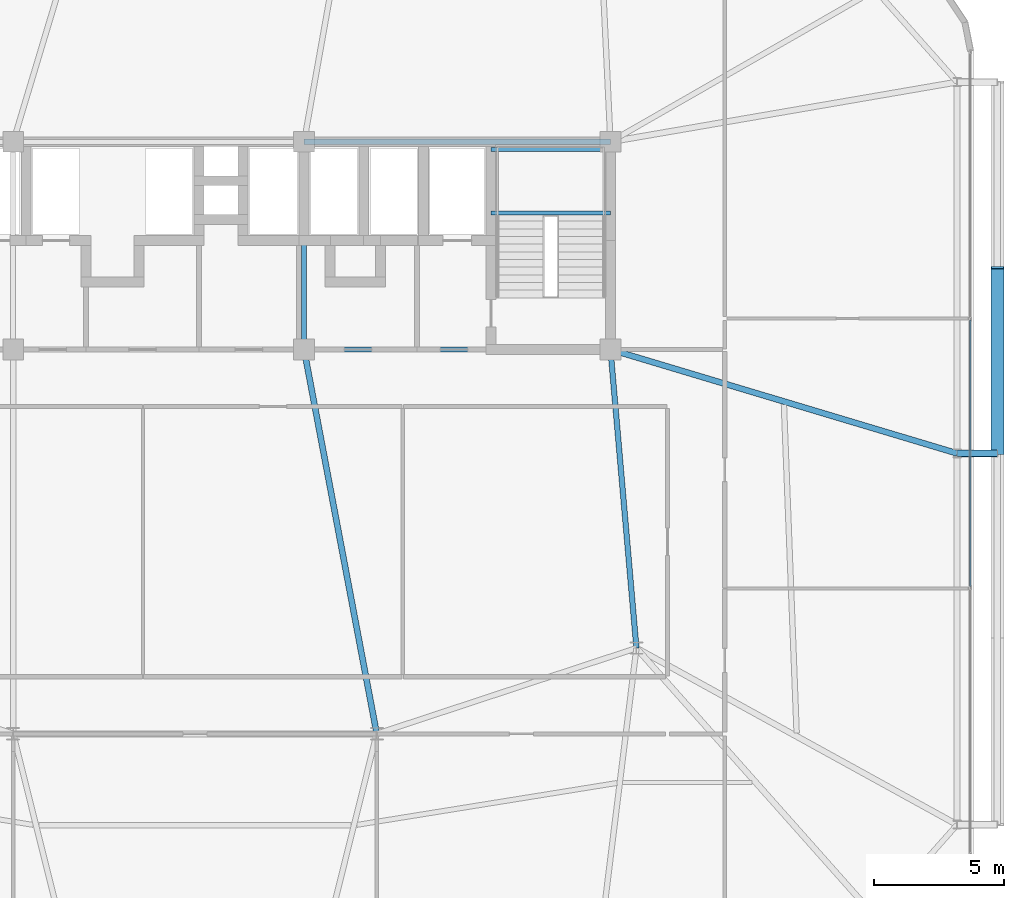
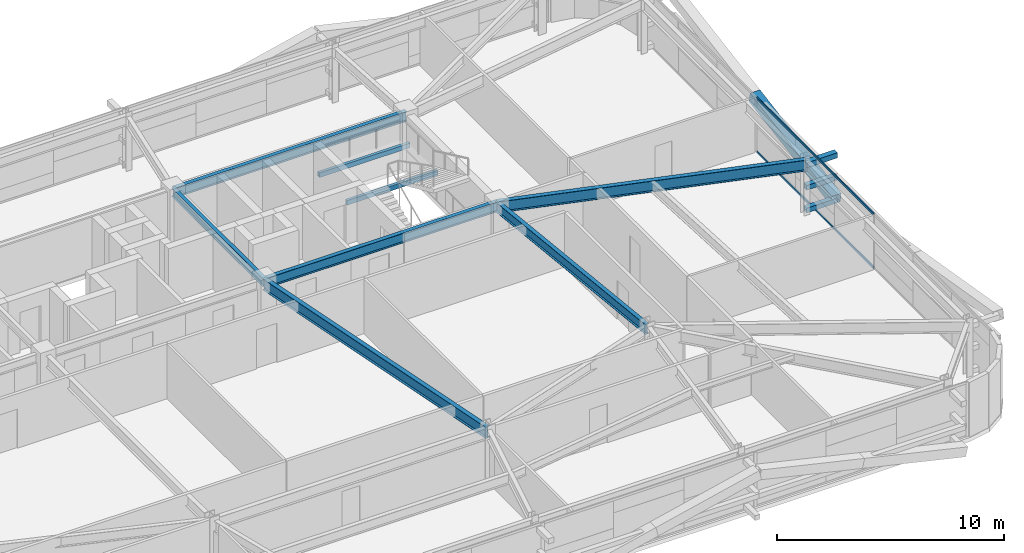
# One storey, part 18 of 44: 8 beams, 6 members, 1 element without a shape of its own.
"""IFC4 building model written with IfcOpenShell, lengths in metres."""

from ifc_helpers import new_model, si_unit, direction, frame, origin, origin_2d, place, context, subcontext, project, spatial, hollow_rectangle, i_section, extrude, source, transform, mapped, material, layer, layer_set, material_profile, profile_set, type_object, element, aggregate, save


model = new_model("IFC4")

# Units and contexts
model_context = context("Model", 3, precision=1e-05, world=origin(), true_north=direction((0.0, 1.0)))
body_context = subcontext(model_context, "Body", "Model", "MODEL_VIEW")
ifc_project = project(units=[si_unit("LENGTHUNIT", "METRE"), si_unit("AREAUNIT", "SQUARE_METRE"), si_unit("VOLUMEUNIT", "CUBIC_METRE"), si_unit("PLANEANGLEUNIT", "RADIAN"), si_unit("MASSUNIT", "GRAM", prefix="KILO")], contexts=[model_context])

# Site, building, storey
site_placement = place(None, origin())
site = spatial("IfcSite", under=ifc_project, at=site_placement, CompositionType="ELEMENT")
building_placement = place(site_placement, origin())
building = spatial("IfcBuilding", under=site, at=building_placement, Name="Taldren Reach Tower", CompositionType="ELEMENT")
storey_placement = place(building_placement, frame((0.0, 0.0, 38.85009765625)))
storey = spatial("IfcBuildingStorey", under=building, at=storey_placement, Name="L11", CompositionType="ELEMENT", Elevation=38.85009765625)

# Beams
ifc_material_1 = material(Name="Steel Gr 350 (350PLUS)", Category="steel")
ifc_material_profile_1 = material_profile(ifc_material_1, i_section(OverallWidth=0.208984375, OverallDepth=0.532958984375, WebThickness=0.01025390625, FlangeThickness=0.015625, at=origin_2d()), Name="530UB92.4")
ifc_profile_set_1 = profile_set([ifc_material_profile_1], Name="Steel Gr 350 (350PLUS)")
beam_type_1 = type_object("IfcBeamType", Name="BM-UB530A", PredefinedType="BEAM", material=ifc_profile_set_1)
shared_shape_1 = source(origin(), body_context, "Body", "SweptSolid", [
    extrude(i_section(OverallWidth=0.208984375, OverallDepth=0.532958984375, WebThickness=0.01025390625, FlangeThickness=0.015625, at=origin_2d()), origin(), (0.0, 0.0, 1.0), 11.800048828125),
])
for number, where, z_axis, x_axis, name in (
    (1, (39.199951171875, 24.0, 2.663330078125), (1.0, 0.0, 0.0), (0.0, 1.0, 0.0), "Core-spine girder L11-SP03"),
    (2, (39.199951171875, 32.0, 2.663330078125), (1.0, 0.0, 0.0), (0.0, 1.0, 0.0), "Core-spine girder L11-SP06"),
):
    element("IfcBeam", number, at=place(storey_placement, frame(where, z_axis=z_axis, x_axis=x_axis)), inside=storey, type_object=beam_type_1, Name=name, PredefinedType="BEAM", context=body_context, shape_type="MappedRepresentation", body=[
        mapped(shared_shape_1, transform((0.0, 0.0, 0.0), scale=1.0)),
    ])
ifc_material_profile_2 = material_profile(ifc_material_1, i_section(OverallWidth=0.19091796875, OverallDepth=0.4599609375, WebThickness=0.010009765625, FlangeThickness=0.01611328125, at=origin_2d()), Name="460UB82.1")
ifc_profile_set_2 = profile_set([ifc_material_profile_2], Name="Steel Gr 350 (350PLUS)")
beam_type_2 = type_object("IfcBeamType", Name="BM-UB460A", PredefinedType="BEAM", material=ifc_profile_set_2)
shared_shape_2 = source(origin(), body_context, "Body", "SweptSolid", [
    extrude(i_section(OverallWidth=0.19091796875, OverallDepth=0.4599609375, WebThickness=0.010009765625, FlangeThickness=0.01611328125, at=origin_2d()), origin(), (0.0, 0.0, 1.0), 8.0),
])
beam_1_placement = place(storey_placement, frame((39.199951171875, 24.0, 2.699951171875), z_axis=(0.0, 1.0, 0.0), x_axis=(-1.0, 0.0, 0.0)))
element("IfcBeam", 3, at=beam_1_placement, inside=storey, type_object=beam_type_2, Name="Core-spine girder L11-SP08", PredefinedType="BEAM", context=body_context, shape_type="MappedRepresentation", body=[
    mapped(shared_shape_2, transform((0.0, 0.0, 0.0), scale=1.0)),
])
shared_shape_3 = source(origin(), body_context, "Body", "SweptSolid", [
    extrude(i_section(OverallWidth=0.208984375, OverallDepth=0.532958984375, WebThickness=0.01025390625, FlangeThickness=0.015625, at=origin_2d()), origin(), (0.0, 0.0, 1.0), 11.54345703125),
])
beam_2_placement = place(storey_placement, frame((52.0, 12.5, 2.663330078125), z_axis=(-0.086629616365, 0.996240588196, 0.0), x_axis=(-0.996240588196, -0.086629616365, 0.0)))
element("IfcBeam", 4, at=beam_2_placement, inside=storey, type_object=beam_type_1, Name="Core-spine girder L11-SP13", PredefinedType="BEAM", context=body_context, shape_type="MappedRepresentation", body=[
    mapped(shared_shape_3, transform((0.0, 0.0, 0.0), scale=1.0)),
])
ifc_material_profile_3 = material_profile(ifc_material_1, i_section(OverallWidth=0.22802734375, OverallDepth=0.60205078125, WebThickness=0.010498046875, FlangeThickness=0.014892578125, at=origin_2d()), Name="610UB101")
ifc_profile_set_3 = profile_set([ifc_material_profile_3], Name="Steel Gr 350 (350PLUS)")
beam_type_3 = type_object("IfcBeamType", Name="BM-UB610B", PredefinedType="BEAM", material=ifc_profile_set_3)
shared_shape_4 = source(origin(), body_context, "Body", "SweptSolid", [
    extrude(i_section(OverallWidth=0.22802734375, OverallDepth=0.60205078125, WebThickness=0.010498046875, FlangeThickness=0.014892578125, at=origin_2d()), origin(), (0.0, 0.0, 1.0), 15.0625),
])
beam_3_placement = place(storey_placement, frame((39.199951171875, 24.0, 2.62890625), z_axis=(0.185894205668, -0.982569765614, 0.0), x_axis=(0.982569765614, 0.185894205668, 0.0)))
element("IfcBeam", 5, at=beam_3_placement, inside=storey, type_object=beam_type_3, Name="Core-spine girder L11-SP15", PredefinedType="BEAM", context=body_context, shape_type="MappedRepresentation", body=[
    mapped(shared_shape_4, transform((0.0, 0.0, 0.0), scale=1.0)),
])
shared_shape_5 = source(origin(), body_context, "Body", "SweptSolid", [
    extrude(i_section(OverallWidth=0.22802734375, OverallDepth=0.60205078125, WebThickness=0.010498046875, FlangeThickness=0.014892578125, at=origin_2d()), origin(), (0.0, 0.0, 1.0), 13.9365234375),
])
beam_4_placement = place(storey_placement, frame((51.0, 24.0, 2.62890625), z_axis=(0.957925550891, -0.287016792104, 0.0), x_axis=(0.287016792104, 0.957925550891, 0.0)))
element("IfcBeam", 6, at=beam_4_placement, inside=storey, type_object=beam_type_3, Name="Primary floor girder B1-E2 L11", PredefinedType="BEAM", context=body_context, shape_type="MappedRepresentation", body=[
    mapped(shared_shape_5, transform((0.0, 0.0, 0.0), scale=1.0)),
])

# Members
ifc_material_2 = material(Name="Steel Gr 450 (C450L0)", Category="steel")
ifc_material_profile_4 = material_profile(ifc_material_2, hollow_rectangle(XDim=0.27490234375, YDim=0.27490234375, WallThickness=0.00927734375, at=origin_2d()), Name="275x275x9.3SHS")
ifc_profile_set_4 = profile_set([ifc_material_profile_4], Name="Steel Gr 450 (C450L0)")
member_type_1 = type_object("IfcMemberType", Name="MB-TIE273", PredefinedType="STRUT", material=ifc_profile_set_4)
shared_shape_6 = source(origin(), body_context, "Body", "SweptSolid", [
    extrude(hollow_rectangle(XDim=0.27490234375, YDim=0.27490234375, WallThickness=0.00927734375, at=origin_2d()), origin(), (0.0, 0.0, 1.0), 1.5498046875),
])
member_1_placement = place(storey_placement, frame((64.35009765625, 20.0, 2.64990234375), z_axis=(1.0, 0.0, 0.0), x_axis=(0.0, 1.0, 0.0)))
element("IfcMember", 7, at=member_1_placement, inside=storey, type_object=member_type_1, Name="Exoskeleton diaphragm tie strut B1-E2 L11", PredefinedType="STRUT", context=body_context, shape_type="MappedRepresentation", body=[
    mapped(shared_shape_6, transform((0.0, 0.0, 0.0), scale=1.0)),
])
ifc_material_3 = material(Name="Steel Gr 350 (C350L0)", Category="steel")
ifc_material_profile_5 = material_profile(ifc_material_3, hollow_rectangle(XDim=0.25, YDim=0.25, WallThickness=0.010009765625, at=origin_2d()), Name="250x250x10.0SHS")
ifc_profile_set_5 = profile_set([ifc_material_profile_5], Name="Steel Gr 350 (C350L0)")
member_type_2 = type_object("IfcMemberType", Name="MB-POST250", PredefinedType="POST", material=ifc_profile_set_5)
shared_shape_7 = source(origin(), body_context, "Body", "SweptSolid", [
    extrude(hollow_rectangle(XDim=0.25, YDim=0.25, WallThickness=0.010009765625, at=origin_2d()), origin(), (0.0, 0.0, 1.0), 1.5498046875),
])
for number, where, z_axis, x_axis, name in (
    (8, (64.35009765625, 20.0, 0.219970703125), (1.0, 0.0, 0.0), (0.0, 1.0, 0.0), "Exoskeleton base diaphragm tie strut B1-E2 L11"),
    (9, (64.35009765625, 20.0, 1.434814453125), (1.0, 0.0, 0.0), (0.0, 1.0, 0.0), "Exoskeleton mid-tier diaphragm tie B1-E2 L11"),
):
    element("IfcMember", number, at=place(storey_placement, frame(where, z_axis=z_axis, x_axis=x_axis)), inside=storey, type_object=member_type_2, Name=name, PredefinedType="POST", context=body_context, shape_type="MappedRepresentation", body=[
        mapped(shared_shape_7, transform((0.0, 0.0, 0.0), scale=1.0)),
    ])
ifc_material_profile_6 = material_profile(ifc_material_2, hollow_rectangle(XDim=0.510009765625, YDim=0.510009765625, WallThickness=0.02001953125, at=origin_2d()), Name="510x510x20.0SHS")
ifc_profile_set_6 = profile_set([ifc_material_profile_6], Name="Steel Gr 450 (C450L0)")
member_type_3 = type_object("IfcMemberType", Name="MB-EXO508", PredefinedType="BRACE", material=ifc_profile_set_6)
shared_shape_8 = source(origin(), body_context, "Body", "SweptSolid", [
    extrude(hollow_rectangle(XDim=0.510009765625, YDim=0.510009765625, WallThickness=0.02001953125, at=origin_2d()), origin(), (0.0, 0.0, 1.0), 7.25244140625),
])
member_2_placement = place(storey_placement, frame((65.89990234375, 20.0, 0.219970703125), z_axis=(0.0, 0.985870415536, 0.167509772168), x_axis=(-1.0, 0.0, 0.0)))
element("IfcMember", 10, at=member_2_placement, inside=storey, type_object=member_type_3, Name="Exoskeleton Diagrid Brace B1-E2 L11", PredefinedType="BRACE", context=body_context, shape_type="MappedRepresentation", body=[
    mapped(shared_shape_8, transform((0.0, 0.0, 0.0), scale=1.0)),
])

# Curtain wall, members
ifc_material_4 = material(Name="Aluminium and Low-E Glass Unitised System", Category="aluminium")
ifc_layer = layer(ifc_material_4, 0.159912109375)
ifc_layer_set = layer_set([ifc_layer], Name="Aluminium and Low-E Glass Unitised System")
curtain_wall_type = type_object("IfcCurtainWallType", Name="CW-SYS-2", PredefinedType="NOTDEFINED", material=ifc_layer_set)
curtain_wall_placement = place(storey_placement, origin())
curtain_wall = element("IfcCurtainWall", 11, at=curtain_wall_placement, inside=storey, type_object=curtain_wall_type, Name="Unitised curtain wall CW-L11-E", PredefinedType="NOTDEFINED")
ifc_material_5 = material(Name="Anodised Aluminium 6063-T6", Category="aluminium")
ifc_material_profile_7 = material_profile(ifc_material_5, hollow_rectangle(XDim=0.054931640625, YDim=0.1201171875, WallThickness=0.0029296875, at=origin_2d()), Name="ALU-120x55x3RHS")
ifc_profile_set_7 = profile_set([ifc_material_profile_7], Name="Anodised Aluminium 6063-T6")
member_type_4 = type_object("IfcMemberType", Name="CW-TRN-135", PredefinedType="USERDEFINED", material=ifc_profile_set_7)
shared_shape_9 = source(origin(), body_context, "Body", "SweptSolid", [
    extrude(hollow_rectangle(XDim=0.054931640625, YDim=0.1201171875, WallThickness=0.0029296875, at=origin_2d()), origin(), (0.0, 0.0, 1.0), 10.2685546875),
])
member_3_placement = place(storey_placement, frame((64.860107421875, 14.86572265625, 0.02734375), z_axis=(0.0, 1.0, 0.0), x_axis=(-1.0, 0.0, 0.0)))
member_3 = element("IfcMember", 12, at=member_3_placement, type_object=member_type_4, Name="CW-2 transom 2.1", ObjectType="TRANSOM", PredefinedType="USERDEFINED", context=body_context, shape_type="MappedRepresentation", body=[
    mapped(shared_shape_9, transform((0.0, 0.0, 0.0), scale=1.0)),
])
member_4_placement = place(storey_placement, frame((64.860107421875, 14.86572265625, 2.90234375), z_axis=(0.0, 1.0, 0.0), x_axis=(-1.0, 0.0, 0.0)))
member_4 = element("IfcMember", 13, at=member_4_placement, type_object=member_type_4, Name="CW-2 transom 2.2", ObjectType="TRANSOM", PredefinedType="USERDEFINED", context=body_context, shape_type="MappedRepresentation", body=[
    mapped(shared_shape_9, transform((0.0, 0.0, 0.0), scale=1.0)),
])
aggregate(curtain_wall, [member_3, member_4])

# Beams
ifc_material_profile_8 = material_profile(ifc_material_3, hollow_rectangle(XDim=0.14990234375, YDim=0.25, WallThickness=0.009033203125, at=origin_2d()), Name="250x150x9.0RHS")
ifc_profile_set_8 = profile_set([ifc_material_profile_8], Name="Steel Gr 350 (C350L0)")
beam_type_4 = type_object("IfcBeamType", Name="LN-RHS250", PredefinedType="LINTEL", material=ifc_profile_set_8)
shared_shape_10 = source(origin(), body_context, "Body", "SweptSolid", [
    extrude(hollow_rectangle(XDim=0.14990234375, YDim=0.25, WallThickness=0.009033203125, at=origin_2d()), origin(), (0.0, 0.0, 1.0), 4.60009765625),
])
for number, where, z_axis, x_axis, name in (
    (14, (46.39990234375, 29.2548828125, 1.27001953125), (1.0, 0.0, 0.0), (0.0, 1.0, 0.0), "Stair half-landing support beam ST2-L11-1"),
    (15, (46.39990234375, 31.699951171875, 1.27001953125), (1.0, 0.0, 0.0), (0.0, 1.0, 0.0), "Stair half-landing support beam ST2-L11-2"),
):
    element("IfcBeam", number, at=place(storey_placement, frame(where, z_axis=z_axis, x_axis=x_axis)), inside=storey, type_object=beam_type_4, Name=name, PredefinedType="LINTEL", context=body_context, shape_type="MappedRepresentation", body=[
        mapped(shared_shape_10, transform((0.0, 0.0, 0.0), scale=1.0)),
    ])

save(model, "model.ifc")
